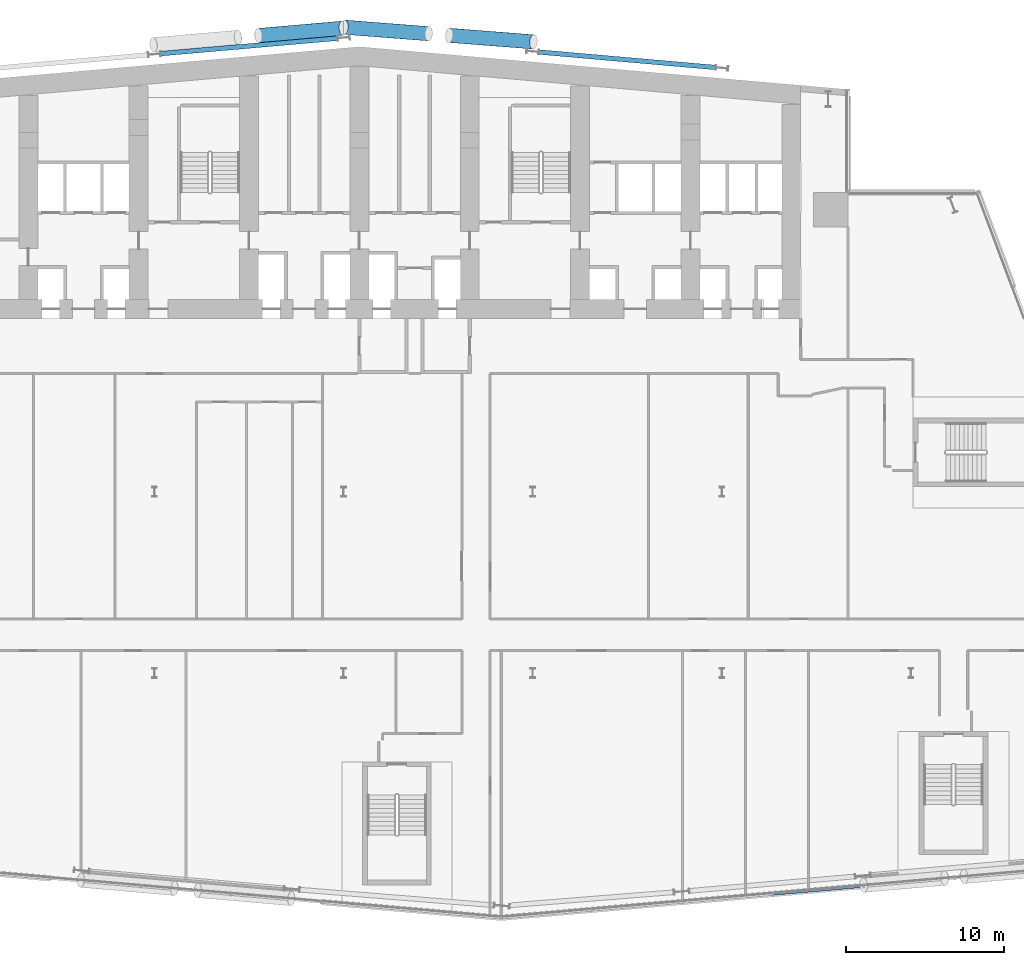
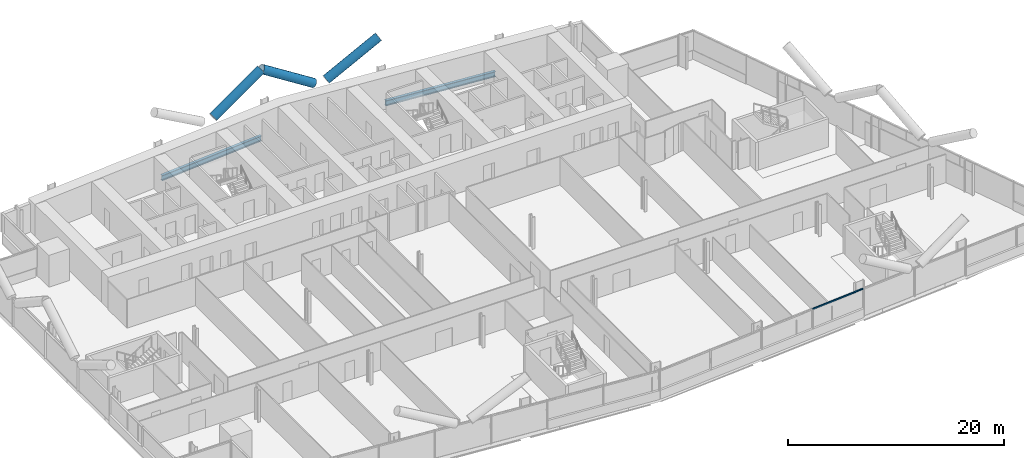
# One storey, part 8 of 27: 4 members, 2 beams, 1 element without a shape of its own.
"""IFC4 building model written with IfcOpenShell, lengths in metres."""

from ifc_helpers import new_model, si_unit, direction, frame, origin, origin_2d, place, context, subcontext, project, spatial, rectangle, hollow_circle, i_section, extrude, material, material_profile, profile_set, type_object, element, aggregate, save


model = new_model("IFC4")

# Units and contexts
model_context = context("Model", 3, precision=1e-05, world=origin(), true_north=direction((0.0, 1.0)))
body_context = subcontext(model_context, "Body", "Model", "MODEL_VIEW")
ifc_project = project(units=[si_unit("LENGTHUNIT", "METRE"), si_unit("AREAUNIT", "SQUARE_METRE"), si_unit("VOLUMEUNIT", "CUBIC_METRE"), si_unit("PLANEANGLEUNIT", "RADIAN"), si_unit("MASSUNIT", "GRAM", prefix="KILO")], contexts=[model_context])

# Site, building, storey
site_placement = place(None, origin())
site = spatial("IfcSite", under=ifc_project, at=site_placement, CompositionType="ELEMENT")
building_placement = place(site_placement, origin())
building = spatial("IfcBuilding", under=site, at=building_placement, Name="Wharfspan Tower", CompositionType="ELEMENT")
storey_placement = place(building_placement, frame((0.0, 0.0, 84.699951)))
storey = spatial("IfcBuildingStorey", under=building, at=storey_placement, Name="L18", CompositionType="ELEMENT", Elevation=84.699951)

# Beams
ifc_material_1 = material(Name="Steel S355J2", Category="steel")
ifc_material_profile_1 = material_profile(ifc_material_1, i_section(OverallWidth=0.300049, OverallDepth=0.600098, WebThickness=0.015381, FlangeThickness=0.030029, FilletRadius=0.0271, at=origin_2d()))
ifc_profile_set_1 = profile_set([ifc_material_profile_1], Name="Steel S355J2")
beam_type = type_object("IfcBeamType", Name="Edge beam HEB 600", PredefinedType="SPANDREL", material=ifc_profile_set_1)
for number, where, z_axis, x_axis, name in (
    (1, (59.598633, 49.919922, -0.699951), (-0.996194, 0.087165, 0.0), (-0.087165, -0.996194, 0.0), "Edge beam N2 L18 R.5 to R.4"),
    (2, (35.598633, 51.774414, -0.699951), (-0.996196, -0.087143, 0.0), (0.087143, -0.996196, 0.0), "Edge beam N1 L18 R.3 to R.2"),
):
    element("IfcBeam", number, at=place(storey_placement, frame(where, z_axis=z_axis, x_axis=x_axis)), inside=storey, type_object=beam_type, Name=name, PredefinedType="SPANDREL", context=body_context, shape_type="SweptSolid", body=[
        extrude(i_section(OverallWidth=0.300049, OverallDepth=0.600098, WebThickness=0.015381, FlangeThickness=0.030029, FilletRadius=0.0271, at=origin_2d()), origin(), (0.0, 0.0, 1.0), 11.23999),
    ])

# Members
ifc_material_2 = material(Name="Steel S460NH", Category="steel")
ifc_material_profile_2 = material_profile(ifc_material_2, hollow_circle(Radius=0.457031, WallThickness=0.040039, at=origin_2d()))
ifc_profile_set_2 = profile_set([ifc_material_profile_2], Name="Steel S460NH")
member_type_1 = type_object("IfcMemberType", Name="Mega brace CHS 914x40", PredefinedType="BRACE", material=ifc_profile_set_2)
member_1_placement = place(storey_placement, frame((30.597656, 51.944824, 3.290283), z_axis=(0.855094, 0.074809, 0.513048), x_axis=(-0.087154, 0.996195, 1e-06)))
element("IfcMember", 3, at=member_1_placement, inside=storey, type_object=member_type_1, Name="Mega brace N7 L18 part 2", PredefinedType="BRACE", context=body_context, shape_type="SweptSolid", body=[
    extrude(hollow_circle(Radius=0.457031, WallThickness=0.040039, at=origin_2d()), origin(), (0.0, 0.0, 1.0), 6.256104),
])
for number, where, z_axis, x_axis, name in (
    (4, (42.696533, 51.959961, 3.290283), (0.855527, -0.066474, 0.513473), (0.077466, 0.996995, 0.0), "Mega brace N8 L18 part 2"),
    (5, (41.396484, 52.060791, 3.290283), (-0.855527, 0.066474, 0.513473), (-0.077466, -0.996995, 0.0), "Mega brace N8 L18 part 4"),
):
    element("IfcMember", number, at=place(storey_placement, frame(where, z_axis=z_axis, x_axis=x_axis)), inside=storey, type_object=member_type_1, Name=name, PredefinedType="BRACE", context=body_context, shape_type="SweptSolid", body=[
        extrude(hollow_circle(Radius=0.457031, WallThickness=0.040039, at=origin_2d()), origin(), (0.0, 0.0, 1.0), 6.250977),
    ])

# Curtain wall, member
ifc_material_3 = material(Name="Aluminium 6063-T6", Category="aluminium")
curtain_wall_type = type_object("IfcCurtainWallType", Name="CURTAIN WALL FACETED FRONT", PredefinedType="NOTDEFINED", material=ifc_material_3)
curtain_wall_placement = place(storey_placement, origin())
curtain_wall = element("IfcCurtainWall", 6, at=curtain_wall_placement, inside=storey, type_object=curtain_wall_type, Name="Curtain wall S2", PredefinedType="NOTDEFINED")
ifc_material_profile_3 = material_profile(ifc_material_3, rectangle(XDim=0.159912, YDim=0.080078, at=origin_2d()))
ifc_profile_set_3 = profile_set([ifc_material_profile_3], Name="Aluminium 6063-T6")
member_type_2 = type_object("IfcMemberType", Name="TRANSOM FACETED FRONT 80x160", PredefinedType="USERDEFINED", material=ifc_profile_set_3)
member_2_placement = place(storey_placement, frame((63.279785, -2.512695, 3.160156), z_axis=(0.996195, 0.087148, 0.0), x_axis=(-0.087148, 0.996195, 0.0)))
member_2 = element("IfcMember", 7, at=member_2_placement, type_object=member_type_2, Name="Curtain wall S2 transom 4", ObjectType="TRANSOM", PredefinedType="USERDEFINED", context=body_context, shape_type="SweptSolid", body=[
    extrude(rectangle(XDim=0.159912, YDim=0.080078, at=origin_2d()), origin(), (0.0, 0.0, 1.0), 5.712158),
])
aggregate(curtain_wall, [member_2])

save(model, "model.ifc")
